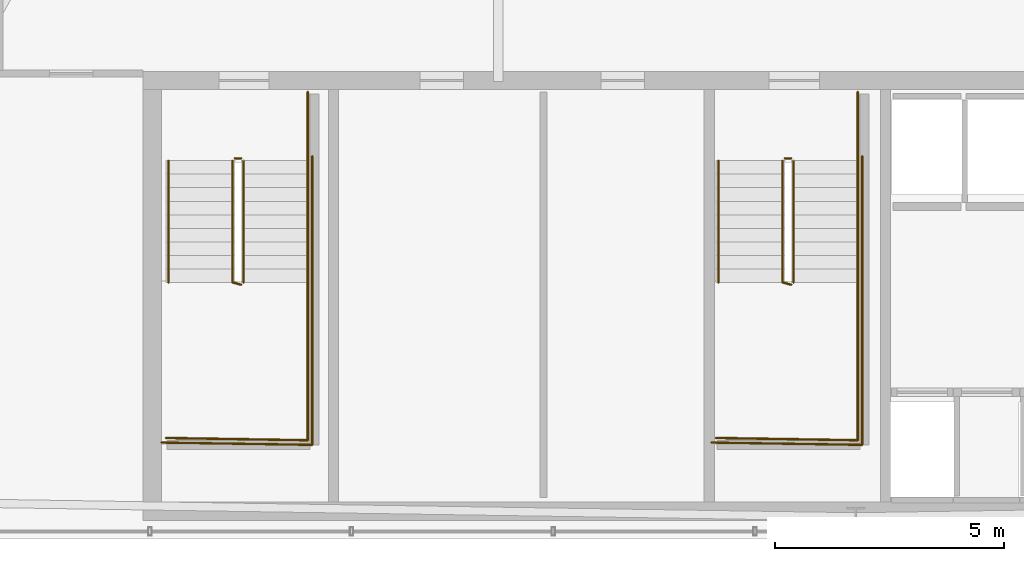
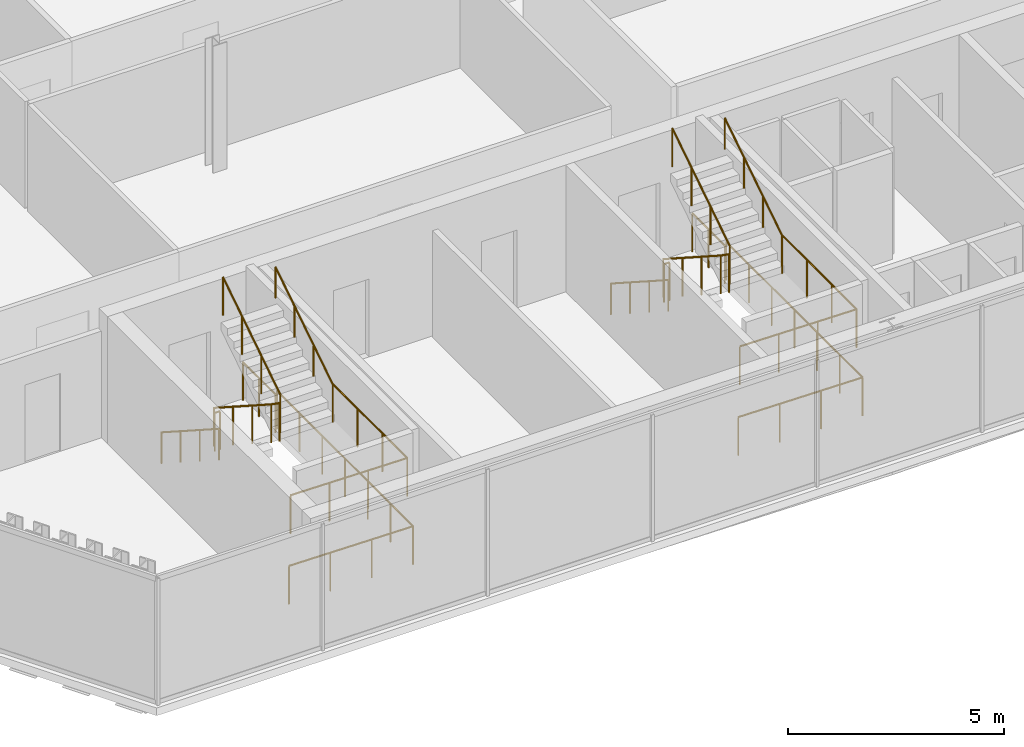
# One storey, part 30 of 32: 16 railings.
"""IFC4 building model written with IfcOpenShell, lengths in metres."""

from ifc_helpers import new_model, si_unit, direction, frame, origin, origin_2d, place, context, subcontext, project, spatial, circle, extrude, material, layer, layer_set, type_object, element, save


model = new_model("IFC4")

# Units and contexts
model_context = context("Model", 3, precision=1e-05, world=origin(), true_north=direction((0.0, 1.0)))
body_context = subcontext(model_context, "Body", "Model", "MODEL_VIEW")
ifc_project = project(units=[si_unit("LENGTHUNIT", "METRE"), si_unit("AREAUNIT", "SQUARE_METRE"), si_unit("VOLUMEUNIT", "CUBIC_METRE"), si_unit("PLANEANGLEUNIT", "RADIAN"), si_unit("MASSUNIT", "GRAM", prefix="KILO")], contexts=[model_context])

# Site, building, storey
site_placement = place(None, origin())
site = spatial("IfcSite", under=ifc_project, at=site_placement, CompositionType="ELEMENT")
building_placement = place(site_placement, origin())
building = spatial("IfcBuilding", under=site, at=building_placement, Name="Ndaravel Arena Tower", CompositionType="ELEMENT")
storey_placement = place(building_placement, frame((0.0, 0.0, 256.0)))
storey = spatial("IfcBuildingStorey", under=building, at=storey_placement, Name="L62", CompositionType="ELEMENT", Elevation=256.0)

# Railings
ifc_material_1 = material(Name="Steel S355", Category="steel")
ifc_layer_1 = layer(ifc_material_1, 0.06005859375)
ifc_layer_set_1 = layer_set([ifc_layer_1], Name="Steel S355")
railing_type_1 = type_object("IfcRailingType", Name="RAIL-STAIR-GD1100", PredefinedType="GUARDRAIL", material=ifc_layer_set_1)
railing_1_placement = place(storey_placement, frame((28.39990234375, 13.25, 0.18994140625)))
element("IfcRailing", 1, at=railing_1_placement, inside=storey, type_object=railing_type_1, Name="L62 ST-1 stair guard 1", PredefinedType="GUARDRAIL", context=body_context, shape_type="SweptSolid", body=[
    extrude(circle(Radius=0.02392578125, at=origin_2d()), frame((0.0, 0.0, 1.076171875), z_axis=(0.0, -0.840723540582, 0.54146461409), x_axis=(1.0, 0.0, 0.0)), (0.0, 0.0, 1.0), 3.157958984375),
    extrude(circle(Radius=0.02392578125, at=origin_2d()), frame((0.0, -2.655029296875, 2.7861328125), z_axis=(0.967074537263, -0.25449329928, 0.0), x_axis=(0.25449329928, 0.967074537263, 0.0)), (0.0, 0.0, 1.0), 0.19677734375),
    extrude(circle(Radius=0.02099609375, at=origin_2d()), origin(), (0.0, 0.0, 1.0), 1.052001953125),
    extrude(circle(Radius=0.02099609375, at=origin_2d()), frame((0.0, -0.885009765625, 0.570068359375)), (0.0, 0.0, 1.0), 1.052001953125),
    extrude(circle(Radius=0.02099609375, at=origin_2d()), frame((0.0, -1.77001953125, 1.139892578125)), (0.0, 0.0, 1.0), 1.052001953125),
    extrude(circle(Radius=0.02099609375, at=origin_2d()), frame((0.0, -2.655029296875, 1.7099609375)), (0.0, 0.0, 1.0), 1.052001953125),
    extrude(circle(Radius=0.02099609375, at=origin_2d()), frame((0.190185546875, -2.705078125, 1.7099609375)), (0.0, 0.0, 1.0), 1.052001953125),
])
railing_2_placement = place(storey_placement, frame((30.0400390625, 10.594970703125, 1.89990234375)))
element("IfcRailing", 2, at=railing_2_placement, inside=storey, type_object=railing_type_1, Name="L62 ST-1 stair guard 2", PredefinedType="GUARDRAIL", context=body_context, shape_type="SweptSolid", body=[
    extrude(circle(Radius=0.02392578125, at=origin_2d()), frame((0.0, 0.0, 1.076171875), z_axis=(0.0, -1.0, 0.0), x_axis=(1.0, 0.0, 0.0)), (0.0, 0.0, 1.0), 3.445068359375),
    extrude(circle(Radius=0.02392578125, at=origin_2d()), frame((0.0, -3.445068359375, 1.076171875), z_axis=(-0.999868861343, 0.016194447071, 0.0), x_axis=(-0.016194447071, -0.999868861343, 0.0)), (0.0, 0.0, 1.0), 3.090576171875),
    extrude(circle(Radius=0.02099609375, at=origin_2d()), origin(), (0.0, 0.0, 1.0), 1.052001953125),
    extrude(circle(Radius=0.02099609375, at=origin_2d()), frame((0.0, -1.1484375, 0.0)), (0.0, 0.0, 1.0), 1.052001953125),
    extrude(circle(Radius=0.02099609375, at=origin_2d()), frame((0.0, -2.296630859375, 0.0)), (0.0, 0.0, 1.0), 1.052001953125),
    extrude(circle(Radius=0.02099609375, at=origin_2d()), frame((0.0, -3.445068359375, 0.0)), (0.0, 0.0, 1.0), 1.052001953125),
    extrude(circle(Radius=0.02099609375, at=origin_2d()), frame((-1.030029296875, -3.428466796875, 0.0)), (0.0, 0.0, 1.0), 1.052001953125),
    extrude(circle(Radius=0.02099609375, at=origin_2d()), frame((-2.06005859375, -3.41162109375, 0.0)), (0.0, 0.0, 1.0), 1.052001953125),
    extrude(circle(Radius=0.02099609375, at=origin_2d()), frame((-3.090087890625, -3.39501953125, 0.0)), (0.0, 0.0, 1.0), 1.052001953125),
])
railing_3_placement = place(storey_placement, frame((28.639892578125, 10.594970703125, 2.090087890625)))
element("IfcRailing", 3, at=railing_3_placement, inside=storey, type_object=railing_type_1, Name="L62 ST-1 stair guard 3", PredefinedType="GUARDRAIL", context=body_context, shape_type="SweptSolid", body=[
    extrude(circle(Radius=0.02392578125, at=origin_2d()), frame((0.0, 0.0, 1.076171875), z_axis=(0.0, 0.840723540582, 0.54146461409), x_axis=(-1.0, 0.0, 0.0)), (0.0, 0.0, 1.0), 3.157958984375),
    extrude(circle(Radius=0.02099609375, at=origin_2d()), origin(), (0.0, 0.0, 1.0), 1.052001953125),
    extrude(circle(Radius=0.02099609375, at=origin_2d()), frame((0.0, 0.885009765625, 0.570068359375)), (0.0, 0.0, 1.0), 1.052001953125),
    extrude(circle(Radius=0.02099609375, at=origin_2d()), frame((0.0, 1.77001953125, 1.139892578125)), (0.0, 0.0, 1.0), 1.052001953125),
    extrude(circle(Radius=0.02099609375, at=origin_2d()), frame((0.0, 2.655029296875, 1.7099609375)), (0.0, 0.0, 1.0), 1.052001953125),
])
railing_4_placement = place(storey_placement, frame((28.449951171875, 13.300048828125, 0.0)))
element("IfcRailing", 4, at=railing_4_placement, inside=storey, type_object=railing_type_1, Name="L62 ST-1 stair guard 4", PredefinedType="GUARDRAIL", context=body_context, shape_type="SweptSolid", body=[
    extrude(circle(Radius=0.02392578125, at=origin_2d()), frame((0.0, 0.0, 1.076171875), z_axis=(1.0, 0.0, 0.0), x_axis=(0.0, 1.0, 0.0)), (0.0, 0.0, 1.0), 0.14013671875),
    extrude(circle(Radius=0.02099609375, at=origin_2d()), origin(), (0.0, 0.0, 1.0), 1.052001953125),
    extrude(circle(Radius=0.02099609375, at=origin_2d()), frame((0.14013671875, 0.0, 0.0)), (0.0, 0.0, 1.0), 1.052001953125),
])
railing_5_placement = place(storey_placement, frame((30.0400390625, 14.75, 0.0)))
element("IfcRailing", 5, at=railing_5_placement, inside=storey, type_object=railing_type_1, Name="L62 ST-1 stair guard 5", PredefinedType="GUARDRAIL", context=body_context, shape_type="SweptSolid", body=[
    extrude(circle(Radius=0.02392578125, at=origin_2d()), frame((0.0, 0.0, 1.076171875), z_axis=(0.0, -1.0, 0.0), x_axis=(1.0, 0.0, 0.0)), (0.0, 0.0, 1.0), 1.5),
    extrude(circle(Radius=0.02099609375, at=origin_2d()), origin(), (0.0, 0.0, 1.0), 1.052001953125),
    extrude(circle(Radius=0.02099609375, at=origin_2d()), frame((0.0, -0.75, 0.0)), (0.0, 0.0, 1.0), 1.052001953125),
    extrude(circle(Radius=0.02099609375, at=origin_2d()), frame((0.0, -1.5, 0.0)), (0.0, 0.0, 1.0), 1.052001953125),
])
railing_6_placement = place(storey_placement, frame((30.139892578125, 13.35009765625, 0.0)))
element("IfcRailing", 6, at=railing_6_placement, inside=storey, type_object=railing_type_1, Name="L62 ST-1 stair guard 6", PredefinedType="GUARDRAIL", context=body_context, shape_type="SweptSolid", body=[
    extrude(circle(Radius=0.02392578125, at=origin_2d()), frame((0.0, 0.0, 1.076171875), z_axis=(0.0, -1.0, 0.0), x_axis=(1.0, 0.0, 0.0)), (0.0, 0.0, 1.0), 6.300048828125),
    extrude(circle(Radius=0.02392578125, at=origin_2d()), frame((0.0, -6.300048828125, 1.076171875), z_axis=(-0.999884296952, 0.015211597839, 0.0), x_axis=(-0.015211597839, -0.999884296952, 0.0)), (0.0, 0.0, 1.0), 3.290283203125),
    extrude(circle(Radius=0.02099609375, at=origin_2d()), origin(), (0.0, 0.0, 1.0), 1.052001953125),
    extrude(circle(Radius=0.02099609375, at=origin_2d()), frame((0.0, -1.050048828125, 0.0)), (0.0, 0.0, 1.0), 1.052001953125),
    extrude(circle(Radius=0.02099609375, at=origin_2d()), frame((0.0, -2.10009765625, 0.0)), (0.0, 0.0, 1.0), 1.052001953125),
    extrude(circle(Radius=0.02099609375, at=origin_2d()), frame((0.0, -3.14990234375, 0.0)), (0.0, 0.0, 1.0), 1.052001953125),
    extrude(circle(Radius=0.02099609375, at=origin_2d()), frame((0.0, -4.199951171875, 0.0)), (0.0, 0.0, 1.0), 1.052001953125),
    extrude(circle(Radius=0.02099609375, at=origin_2d()), frame((0.0, -5.25, 0.0)), (0.0, 0.0, 1.0), 1.052001953125),
    extrude(circle(Radius=0.02099609375, at=origin_2d()), frame((0.0, -6.300048828125, 0.0)), (0.0, 0.0, 1.0), 1.052001953125),
    extrude(circle(Radius=0.02099609375, at=origin_2d()), frame((-1.0966796875, -6.283447265625, 0.0)), (0.0, 0.0, 1.0), 1.052001953125),
    extrude(circle(Radius=0.02099609375, at=origin_2d()), frame((-2.193115234375, -6.2666015625, 0.0)), (0.0, 0.0, 1.0), 1.052001953125),
    extrude(circle(Radius=0.02099609375, at=origin_2d()), frame((-3.289794921875, -6.25, 0.0)), (0.0, 0.0, 1.0), 1.052001953125),
])
railing_7_placement = place(storey_placement, frame((40.39990234375, 13.25, 0.18994140625)))
element("IfcRailing", 7, at=railing_7_placement, inside=storey, type_object=railing_type_1, Name="L62 ST-2 stair guard 1", PredefinedType="GUARDRAIL", context=body_context, shape_type="SweptSolid", body=[
    extrude(circle(Radius=0.02392578125, at=origin_2d()), frame((0.0, 0.0, 1.076171875), z_axis=(0.0, -0.840723540582, 0.54146461409), x_axis=(1.0, 0.0, 0.0)), (0.0, 0.0, 1.0), 3.157958984375),
    extrude(circle(Radius=0.02392578125, at=origin_2d()), frame((0.0, -2.655029296875, 2.7861328125), z_axis=(0.967074537263, -0.25449329928, 0.0), x_axis=(0.25449329928, 0.967074537263, 0.0)), (0.0, 0.0, 1.0), 0.19677734375),
    extrude(circle(Radius=0.02099609375, at=origin_2d()), origin(), (0.0, 0.0, 1.0), 1.052001953125),
    extrude(circle(Radius=0.02099609375, at=origin_2d()), frame((0.0, -0.885009765625, 0.570068359375)), (0.0, 0.0, 1.0), 1.052001953125),
    extrude(circle(Radius=0.02099609375, at=origin_2d()), frame((0.0, -1.77001953125, 1.139892578125)), (0.0, 0.0, 1.0), 1.052001953125),
    extrude(circle(Radius=0.02099609375, at=origin_2d()), frame((0.0, -2.655029296875, 1.7099609375)), (0.0, 0.0, 1.0), 1.052001953125),
    extrude(circle(Radius=0.02099609375, at=origin_2d()), frame((0.190185546875, -2.705078125, 1.7099609375)), (0.0, 0.0, 1.0), 1.052001953125),
])
railing_8_placement = place(storey_placement, frame((42.0400390625, 10.594970703125, 1.89990234375)))
element("IfcRailing", 8, at=railing_8_placement, inside=storey, type_object=railing_type_1, Name="L62 ST-2 stair guard 2", PredefinedType="GUARDRAIL", context=body_context, shape_type="SweptSolid", body=[
    extrude(circle(Radius=0.02392578125, at=origin_2d()), frame((0.0, 0.0, 1.076171875), z_axis=(0.0, -1.0, 0.0), x_axis=(1.0, 0.0, 0.0)), (0.0, 0.0, 1.0), 3.445068359375),
    extrude(circle(Radius=0.02392578125, at=origin_2d()), frame((0.0, -3.445068359375, 1.076171875), z_axis=(-0.999868861343, 0.016194447071, 0.0), x_axis=(-0.016194447071, -0.999868861343, 0.0)), (0.0, 0.0, 1.0), 3.090576171875),
    extrude(circle(Radius=0.02099609375, at=origin_2d()), origin(), (0.0, 0.0, 1.0), 1.052001953125),
    extrude(circle(Radius=0.02099609375, at=origin_2d()), frame((0.0, -1.1484375, 0.0)), (0.0, 0.0, 1.0), 1.052001953125),
    extrude(circle(Radius=0.02099609375, at=origin_2d()), frame((0.0, -2.296630859375, 0.0)), (0.0, 0.0, 1.0), 1.052001953125),
    extrude(circle(Radius=0.02099609375, at=origin_2d()), frame((0.0, -3.445068359375, 0.0)), (0.0, 0.0, 1.0), 1.052001953125),
    extrude(circle(Radius=0.02099609375, at=origin_2d()), frame((-1.030029296875, -3.428466796875, 0.0)), (0.0, 0.0, 1.0), 1.052001953125),
    extrude(circle(Radius=0.02099609375, at=origin_2d()), frame((-2.06005859375, -3.41162109375, 0.0)), (0.0, 0.0, 1.0), 1.052001953125),
    extrude(circle(Radius=0.02099609375, at=origin_2d()), frame((-3.090087890625, -3.39501953125, 0.0)), (0.0, 0.0, 1.0), 1.052001953125),
])
railing_9_placement = place(storey_placement, frame((40.639892578125, 10.594970703125, 2.090087890625)))
element("IfcRailing", 9, at=railing_9_placement, inside=storey, type_object=railing_type_1, Name="L62 ST-2 stair guard 3", PredefinedType="GUARDRAIL", context=body_context, shape_type="SweptSolid", body=[
    extrude(circle(Radius=0.02392578125, at=origin_2d()), frame((0.0, 0.0, 1.076171875), z_axis=(0.0, 0.840723540582, 0.54146461409), x_axis=(-1.0, 0.0, 0.0)), (0.0, 0.0, 1.0), 3.157958984375),
    extrude(circle(Radius=0.02099609375, at=origin_2d()), origin(), (0.0, 0.0, 1.0), 1.052001953125),
    extrude(circle(Radius=0.02099609375, at=origin_2d()), frame((0.0, 0.885009765625, 0.570068359375)), (0.0, 0.0, 1.0), 1.052001953125),
    extrude(circle(Radius=0.02099609375, at=origin_2d()), frame((0.0, 1.77001953125, 1.139892578125)), (0.0, 0.0, 1.0), 1.052001953125),
    extrude(circle(Radius=0.02099609375, at=origin_2d()), frame((0.0, 2.655029296875, 1.7099609375)), (0.0, 0.0, 1.0), 1.052001953125),
])
railing_10_placement = place(storey_placement, frame((40.449951171875, 13.300048828125, 0.0)))
element("IfcRailing", 10, at=railing_10_placement, inside=storey, type_object=railing_type_1, Name="L62 ST-2 stair guard 4", PredefinedType="GUARDRAIL", context=body_context, shape_type="SweptSolid", body=[
    extrude(circle(Radius=0.02392578125, at=origin_2d()), frame((0.0, 0.0, 1.076171875), z_axis=(1.0, 0.0, 0.0), x_axis=(0.0, 1.0, 0.0)), (0.0, 0.0, 1.0), 0.14013671875),
    extrude(circle(Radius=0.02099609375, at=origin_2d()), origin(), (0.0, 0.0, 1.0), 1.052001953125),
    extrude(circle(Radius=0.02099609375, at=origin_2d()), frame((0.14013671875, 0.0, 0.0)), (0.0, 0.0, 1.0), 1.052001953125),
])
railing_11_placement = place(storey_placement, frame((42.0400390625, 14.75, 0.0)))
element("IfcRailing", 11, at=railing_11_placement, inside=storey, type_object=railing_type_1, Name="L62 ST-2 stair guard 5", PredefinedType="GUARDRAIL", context=body_context, shape_type="SweptSolid", body=[
    extrude(circle(Radius=0.02392578125, at=origin_2d()), frame((0.0, 0.0, 1.076171875), z_axis=(0.0, -1.0, 0.0), x_axis=(1.0, 0.0, 0.0)), (0.0, 0.0, 1.0), 1.5),
    extrude(circle(Radius=0.02099609375, at=origin_2d()), origin(), (0.0, 0.0, 1.0), 1.052001953125),
    extrude(circle(Radius=0.02099609375, at=origin_2d()), frame((0.0, -0.75, 0.0)), (0.0, 0.0, 1.0), 1.052001953125),
    extrude(circle(Radius=0.02099609375, at=origin_2d()), frame((0.0, -1.5, 0.0)), (0.0, 0.0, 1.0), 1.052001953125),
])
railing_12_placement = place(storey_placement, frame((42.139892578125, 13.35009765625, 0.0)))
element("IfcRailing", 12, at=railing_12_placement, inside=storey, type_object=railing_type_1, Name="L62 ST-2 stair guard 6", PredefinedType="GUARDRAIL", context=body_context, shape_type="SweptSolid", body=[
    extrude(circle(Radius=0.02392578125, at=origin_2d()), frame((0.0, 0.0, 1.076171875), z_axis=(0.0, -1.0, 0.0), x_axis=(1.0, 0.0, 0.0)), (0.0, 0.0, 1.0), 6.300048828125),
    extrude(circle(Radius=0.02392578125, at=origin_2d()), frame((0.0, -6.300048828125, 1.076171875), z_axis=(-0.999884296952, 0.015211597839, 0.0), x_axis=(-0.015211597839, -0.999884296952, 0.0)), (0.0, 0.0, 1.0), 3.290283203125),
    extrude(circle(Radius=0.02099609375, at=origin_2d()), origin(), (0.0, 0.0, 1.0), 1.052001953125),
    extrude(circle(Radius=0.02099609375, at=origin_2d()), frame((0.0, -1.050048828125, 0.0)), (0.0, 0.0, 1.0), 1.052001953125),
    extrude(circle(Radius=0.02099609375, at=origin_2d()), frame((0.0, -2.10009765625, 0.0)), (0.0, 0.0, 1.0), 1.052001953125),
    extrude(circle(Radius=0.02099609375, at=origin_2d()), frame((0.0, -3.14990234375, 0.0)), (0.0, 0.0, 1.0), 1.052001953125),
    extrude(circle(Radius=0.02099609375, at=origin_2d()), frame((0.0, -4.199951171875, 0.0)), (0.0, 0.0, 1.0), 1.052001953125),
    extrude(circle(Radius=0.02099609375, at=origin_2d()), frame((0.0, -5.25, 0.0)), (0.0, 0.0, 1.0), 1.052001953125),
    extrude(circle(Radius=0.02099609375, at=origin_2d()), frame((0.0, -6.300048828125, 0.0)), (0.0, 0.0, 1.0), 1.052001953125),
    extrude(circle(Radius=0.02099609375, at=origin_2d()), frame((-1.0966796875, -6.283447265625, 0.0)), (0.0, 0.0, 1.0), 1.052001953125),
    extrude(circle(Radius=0.02099609375, at=origin_2d()), frame((-2.193115234375, -6.2666015625, 0.0)), (0.0, 0.0, 1.0), 1.052001953125),
    extrude(circle(Radius=0.02099609375, at=origin_2d()), frame((-3.289794921875, -6.25, 0.0)), (0.0, 0.0, 1.0), 1.052001953125),
])
ifc_material_2 = material(Name="Steel S355", Category="steel")
ifc_layer_2 = layer(ifc_material_2, 0.050048828125)
ifc_layer_set_2 = layer_set([ifc_layer_2], Name="Steel S355")
railing_type_2 = type_object("IfcRailingType", Name="RAIL-STAIR-HR920", PredefinedType="HANDRAIL", material=ifc_layer_set_2)
railing_13_placement = place(storey_placement, frame((27.0, 13.25, 0.18994140625)))
element("IfcRailing", 13, at=railing_13_placement, inside=storey, type_object=railing_type_2, Name="L62 ST-1 stair handrail 1", PredefinedType="HANDRAIL", context=body_context, shape_type="SweptSolid", body=[
    extrude(circle(Radius=0.02392578125, at=origin_2d()), frame((0.0, 0.0, 0.8759765625), z_axis=(0.0, -0.840723540582, 0.54146461409), x_axis=(1.0, 0.0, 0.0)), (0.0, 0.0, 1.0), 3.157958984375),
    extrude(circle(Radius=0.02099609375, at=origin_2d()), origin(), (0.0, 0.0, 1.0), 0.851806640625),
    extrude(circle(Radius=0.02099609375, at=origin_2d()), frame((0.0, -0.885009765625, 0.570068359375)), (0.0, 0.0, 1.0), 0.851806640625),
    extrude(circle(Radius=0.02099609375, at=origin_2d()), frame((0.0, -1.77001953125, 1.139892578125)), (0.0, 0.0, 1.0), 0.851806640625),
    extrude(circle(Radius=0.02099609375, at=origin_2d()), frame((0.0, -2.655029296875, 1.7099609375)), (0.0, 0.0, 1.0), 0.851806640625),
])
railing_14_placement = place(storey_placement, frame((30.0400390625, 10.594970703125, 2.090087890625)))
element("IfcRailing", 14, at=railing_14_placement, inside=storey, type_object=railing_type_2, Name="L62 ST-1 stair handrail 2", PredefinedType="HANDRAIL", context=body_context, shape_type="SweptSolid", body=[
    extrude(circle(Radius=0.02392578125, at=origin_2d()), frame((0.0, 0.0, 0.8759765625), z_axis=(0.0, 0.840723540582, 0.54146461409), x_axis=(-1.0, 0.0, 0.0)), (0.0, 0.0, 1.0), 3.157958984375),
    extrude(circle(Radius=0.02099609375, at=origin_2d()), origin(), (0.0, 0.0, 1.0), 0.851806640625),
    extrude(circle(Radius=0.02099609375, at=origin_2d()), frame((0.0, 0.885009765625, 0.570068359375)), (0.0, 0.0, 1.0), 0.851806640625),
    extrude(circle(Radius=0.02099609375, at=origin_2d()), frame((0.0, 1.77001953125, 1.139892578125)), (0.0, 0.0, 1.0), 0.851806640625),
    extrude(circle(Radius=0.02099609375, at=origin_2d()), frame((0.0, 2.655029296875, 1.7099609375)), (0.0, 0.0, 1.0), 0.851806640625),
])
railing_15_placement = place(storey_placement, frame((39.0, 13.25, 0.18994140625)))
element("IfcRailing", 15, at=railing_15_placement, inside=storey, type_object=railing_type_2, Name="L62 ST-2 stair handrail 1", PredefinedType="HANDRAIL", context=body_context, shape_type="SweptSolid", body=[
    extrude(circle(Radius=0.02392578125, at=origin_2d()), frame((0.0, 0.0, 0.8759765625), z_axis=(0.0, -0.840723540582, 0.54146461409), x_axis=(1.0, 0.0, 0.0)), (0.0, 0.0, 1.0), 3.157958984375),
    extrude(circle(Radius=0.02099609375, at=origin_2d()), origin(), (0.0, 0.0, 1.0), 0.851806640625),
    extrude(circle(Radius=0.02099609375, at=origin_2d()), frame((0.0, -0.885009765625, 0.570068359375)), (0.0, 0.0, 1.0), 0.851806640625),
    extrude(circle(Radius=0.02099609375, at=origin_2d()), frame((0.0, -1.77001953125, 1.139892578125)), (0.0, 0.0, 1.0), 0.851806640625),
    extrude(circle(Radius=0.02099609375, at=origin_2d()), frame((0.0, -2.655029296875, 1.7099609375)), (0.0, 0.0, 1.0), 0.851806640625),
])
railing_16_placement = place(storey_placement, frame((42.0400390625, 10.594970703125, 2.090087890625)))
element("IfcRailing", 16, at=railing_16_placement, inside=storey, type_object=railing_type_2, Name="L62 ST-2 stair handrail 2", PredefinedType="HANDRAIL", context=body_context, shape_type="SweptSolid", body=[
    extrude(circle(Radius=0.02392578125, at=origin_2d()), frame((0.0, 0.0, 0.8759765625), z_axis=(0.0, 0.840723540582, 0.54146461409), x_axis=(-1.0, 0.0, 0.0)), (0.0, 0.0, 1.0), 3.157958984375),
    extrude(circle(Radius=0.02099609375, at=origin_2d()), origin(), (0.0, 0.0, 1.0), 0.851806640625),
    extrude(circle(Radius=0.02099609375, at=origin_2d()), frame((0.0, 0.885009765625, 0.570068359375)), (0.0, 0.0, 1.0), 0.851806640625),
    extrude(circle(Radius=0.02099609375, at=origin_2d()), frame((0.0, 1.77001953125, 1.139892578125)), (0.0, 0.0, 1.0), 0.851806640625),
    extrude(circle(Radius=0.02099609375, at=origin_2d()), frame((0.0, 2.655029296875, 1.7099609375)), (0.0, 0.0, 1.0), 0.851806640625),
])

save(model, "model.ifc")
